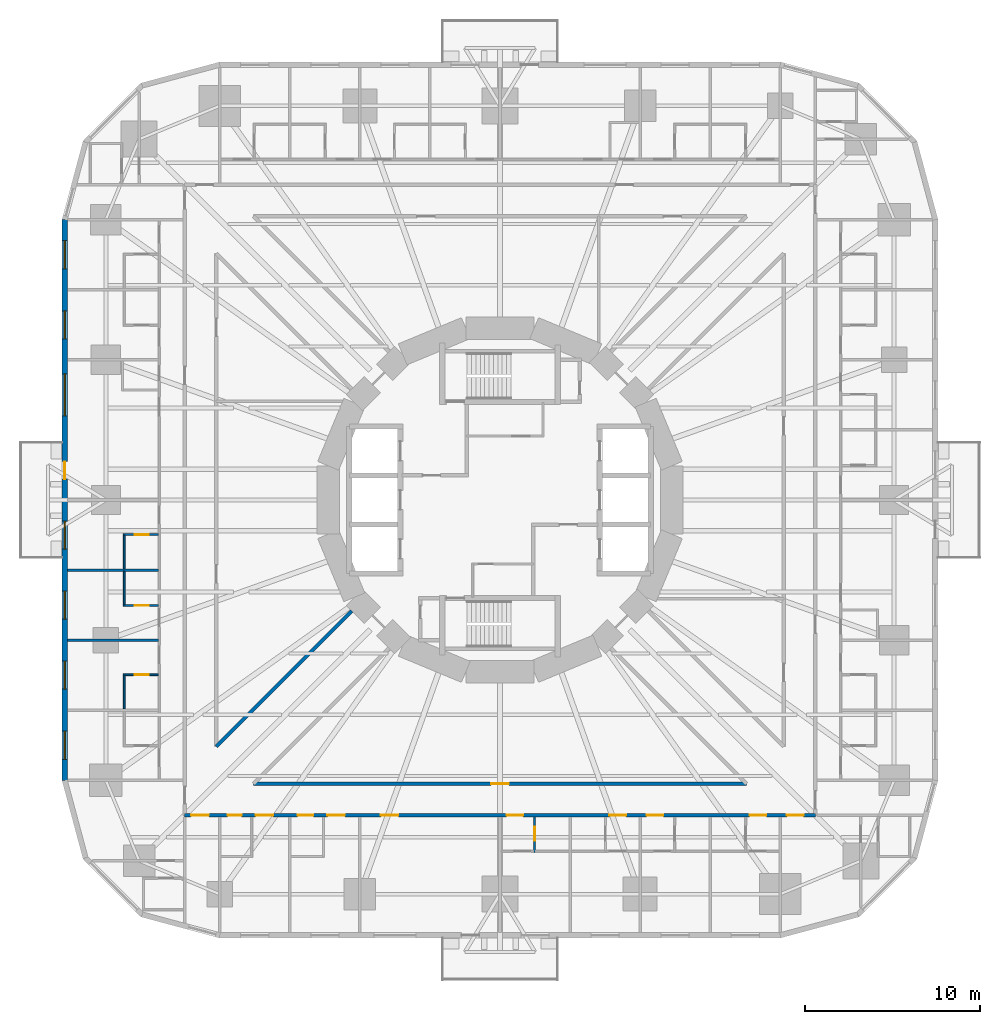
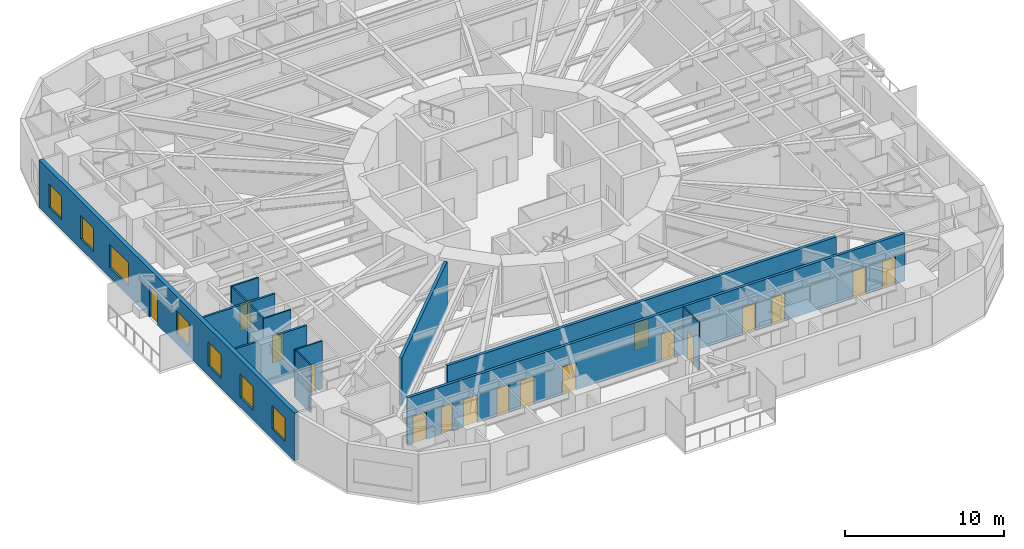
# One storey, part 5 of 14: 17 doors, 13 walls, 7 windows, 24 openings.
"""IFC4 building model written with IfcOpenShell, lengths in metres."""

from ifc_helpers import new_model, si_unit, direction, frame, frame_2d, origin, place, context, subcontext, project, spatial, rectangle, extrude, material, layer, layer_set, type_object, element, fill, save


model = new_model("IFC4")

# Units and contexts
model_context = context("Model", 3, precision=1e-05, world=origin(), true_north=direction((0.0, 1.0)))
body_context = subcontext(model_context, "Body", "Model", "MODEL_VIEW")
ifc_project = project(units=[si_unit("LENGTHUNIT", "METRE"), si_unit("AREAUNIT", "SQUARE_METRE"), si_unit("VOLUMEUNIT", "CUBIC_METRE"), si_unit("PLANEANGLEUNIT", "RADIAN"), si_unit("MASSUNIT", "GRAM", prefix="KILO")], contexts=[model_context])

# Site, building, storey
site_placement = place(None, origin())
site = spatial("IfcSite", under=ifc_project, at=site_placement, CompositionType="ELEMENT")
building_placement = place(site_placement, origin())
building = spatial("IfcBuilding", under=site, at=building_placement, Name="Nakasero Lantern House", CompositionType="ELEMENT")
storey_placement = place(building_placement, frame((0.0, 0.0, 31.39990234375)))
storey = spatial("IfcBuildingStorey", under=building, at=storey_placement, Name="L07", CompositionType="ELEMENT", Elevation=31.39990234375)

# Wall, openings, doors
ifc_material_1 = material(Name="Blockwork", Category="masonry")
ifc_layer_1 = layer(ifc_material_1, 0.199951171875)
ifc_layer_set_1 = layer_set([ifc_layer_1], Name="Corridor wall 200")
wall_type_1 = type_object("IfcWallType", Name="Corridor wall 200", PredefinedType="PARTITIONING", material=ifc_layer_set_1)
wall_1_placement = place(storey_placement, frame((-18.0, -18.0, 0.0), z_axis=(0.0, 0.0, 1.0), x_axis=(1.0, 0.0, 0.0)))
wall_1 = element("IfcWall", 1, at=wall_1_placement, inside=storey, type_object=wall_type_1, Name="Corridor wall L07 CW3", PredefinedType="PARTITIONING", context=body_context, shape_type="SweptSolid", body=[
    extrude(rectangle(XDim=36.0, YDim=0.199951171875, at=frame_2d((18.0, 0.0))), origin(), (0.0, 0.0, 1.0), 3.650146484375),
])
opening_1_placement = place(wall_1_placement, frame((0.375, 0.0, 0.0)))
opening_1 = element("IfcOpeningElement", 2, at=opening_1_placement, cuts=wall_1, Name="Opening D07", PredefinedType="OPENING", context=body_context, shape_type="SweptSolid", body=[
    extrude(rectangle(XDim=1.0, YDim=2.10009765625, at=frame_2d((0.5, 1.050048828125))), frame((0.0, 0.119873046875, 0.0), z_axis=(0.0, -1.0, 0.0), x_axis=(1.0, 0.0, 0.0)), (0.0, 0.0, 1.0), 0.239990234375),
])
opening_2_placement = place(wall_1_placement, frame((2.449951171875, 0.0, 0.0)))
opening_2 = element("IfcOpeningElement", 3, at=opening_2_placement, cuts=wall_1, Name="Opening D15", PredefinedType="OPENING", context=body_context, shape_type="SweptSolid", body=[
    extrude(rectangle(XDim=0.800048828125, YDim=2.10009765625, at=frame_2d((0.39990234375, 1.050048828125))), frame((0.0, 0.119873046875, 0.0), z_axis=(0.0, -1.0, 0.0), x_axis=(1.0, 0.0, 0.0)), (0.0, 0.0, 1.0), 0.239990234375),
])
opening_3_placement = place(wall_1_placement, frame((4.050048828125, 0.0, 0.0)))
opening_3 = element("IfcOpeningElement", 4, at=opening_3_placement, cuts=wall_1, Name="Opening D07", PredefinedType="OPENING", context=body_context, shape_type="SweptSolid", body=[
    extrude(rectangle(XDim=1.0, YDim=2.10009765625, at=frame_2d((0.5, 1.050048828125))), frame((0.0, 0.119873046875, 0.0), z_axis=(0.0, -1.0, 0.0), x_axis=(1.0, 0.0, 0.0)), (0.0, 0.0, 1.0), 0.239990234375),
])
opening_4_placement = place(wall_1_placement, frame((6.449951171875, 0.0, 0.0)))
opening_4 = element("IfcOpeningElement", 5, at=opening_4_placement, cuts=wall_1, Name="Opening D16", PredefinedType="OPENING", context=body_context, shape_type="SweptSolid", body=[
    extrude(rectangle(XDim=0.89990234375, YDim=2.10009765625, at=frame_2d((0.449951171875, 1.050048828125))), frame((0.0, 0.119873046875, 0.0), z_axis=(0.0, -1.0, 0.0), x_axis=(1.0, 0.0, 0.0)), (0.0, 0.0, 1.0), 0.239990234375),
])
opening_5_placement = place(wall_1_placement, frame((8.14990234375, 0.0, 0.0)))
opening_5 = element("IfcOpeningElement", 6, at=opening_5_placement, cuts=wall_1, Name="Opening D07", PredefinedType="OPENING", context=body_context, shape_type="SweptSolid", body=[
    extrude(rectangle(XDim=1.0, YDim=2.10009765625, at=frame_2d((0.5, 1.050048828125))), frame((0.0, 0.119873046875, 0.0), z_axis=(0.0, -1.0, 0.0), x_axis=(1.0, 0.0, 0.0)), (0.0, 0.0, 1.0), 0.239990234375),
])
opening_6_placement = place(wall_1_placement, frame((18.375, 0.0, 0.0)))
opening_6 = element("IfcOpeningElement", 7, at=opening_6_placement, cuts=wall_1, Name="Opening D01", PredefinedType="OPENING", context=body_context, shape_type="SweptSolid", body=[
    extrude(rectangle(XDim=0.949951171875, YDim=2.10009765625, at=frame_2d((0.47509765625, 1.050048828125))), frame((0.0, 0.119873046875, 0.0), z_axis=(0.0, -1.0, 0.0), x_axis=(1.0, 0.0, 0.0)), (0.0, 0.0, 1.0), 0.239990234375),
])
opening_7_placement = place(wall_1_placement, frame((24.25, 0.0, 0.0)))
opening_7 = element("IfcOpeningElement", 8, at=opening_7_placement, cuts=wall_1, Name="Opening D01", PredefinedType="OPENING", context=body_context, shape_type="SweptSolid", body=[
    extrude(rectangle(XDim=0.949951171875, YDim=2.10009765625, at=frame_2d((0.47509765625, 1.050048828125))), frame((0.0, 0.119873046875, 0.0), z_axis=(0.0, -1.0, 0.0), x_axis=(1.0, 0.0, 0.0)), (0.0, 0.0, 1.0), 0.239990234375),
])
opening_8_placement = place(wall_1_placement, frame((26.375, 0.0, 0.0)))
opening_8 = element("IfcOpeningElement", 9, at=opening_8_placement, cuts=wall_1, Name="Opening D01", PredefinedType="OPENING", context=body_context, shape_type="SweptSolid", body=[
    extrude(rectangle(XDim=0.949951171875, YDim=2.10009765625, at=frame_2d((0.47509765625, 1.050048828125))), frame((0.0, 0.119873046875, 0.0), z_axis=(0.0, -1.0, 0.0), x_axis=(1.0, 0.0, 0.0)), (0.0, 0.0, 1.0), 0.239990234375),
])
opening_9_placement = place(wall_1_placement, frame((32.25, 0.0, 0.0)))
opening_9 = element("IfcOpeningElement", 10, at=opening_9_placement, cuts=wall_1, Name="Opening D01", PredefinedType="OPENING", context=body_context, shape_type="SweptSolid", body=[
    extrude(rectangle(XDim=0.949951171875, YDim=2.10009765625, at=frame_2d((0.47509765625, 1.050048828125))), frame((0.0, 0.119873046875, 0.0), z_axis=(0.0, -1.0, 0.0), x_axis=(1.0, 0.0, 0.0)), (0.0, 0.0, 1.0), 0.239990234375),
])
opening_10_placement = place(wall_1_placement, frame((34.375, 0.0, 0.0)))
opening_10 = element("IfcOpeningElement", 11, at=opening_10_placement, cuts=wall_1, Name="Opening D01", PredefinedType="OPENING", context=body_context, shape_type="SweptSolid", body=[
    extrude(rectangle(XDim=0.949951171875, YDim=2.10009765625, at=frame_2d((0.47509765625, 1.050048828125))), frame((0.0, 0.119873046875, 0.0), z_axis=(0.0, -1.0, 0.0), x_axis=(1.0, 0.0, 0.0)), (0.0, 0.0, 1.0), 0.239990234375),
])
opening_11_placement = place(wall_1_placement, frame((11.199951171875, 0.0, 0.0)))
opening_11 = element("IfcOpeningElement", 12, at=opening_11_placement, cuts=wall_1, Name="Opening D03", PredefinedType="OPENING", context=body_context, shape_type="SweptSolid", body=[
    extrude(rectangle(XDim=1.0, YDim=2.10009765625, at=frame_2d((0.5, 1.050048828125))), frame((0.0, 0.119873046875, 0.0), z_axis=(0.0, -1.0, 0.0), x_axis=(1.0, 0.0, 0.0)), (0.0, 0.0, 1.0), 0.239990234375),
])
ifc_material_2 = material(Name="Timber C24", Category="wood")
door_type_1 = type_object("IfcDoorType", Name="Accessible WC door 900", OperationType="SINGLE_SWING_RIGHT", PredefinedType="DOOR", material=ifc_material_2)
door_1_placement = place(opening_4_placement, origin())
door_1 = element("IfcDoor", 13, at=door_1_placement, inside=storey, type_object=door_type_1, Name="Door L07 DS3-02", OperationType="SINGLE_SWING_LEFT", OverallHeight=2.10009765625, OverallWidth=0.89990234375, PredefinedType="DOOR", context=body_context, shape_type="SweptSolid", body=[
    extrude(rectangle(XDim=0.89990234375, YDim=2.10009765625, at=frame_2d((0.449951171875, 1.050048828125))), frame((0.0, 0.02490234375, 0.0), z_axis=(0.0, -1.0, 0.0), x_axis=(1.0, 0.0, 0.0)), (0.0, 0.0, 1.0), 0.050048828125),
])
fill(opening_4, door_1)
ifc_material_3 = material(Name="Timber C24", Category="wood")
door_type_2 = type_object("IfcDoorType", Name="Bedroom door FD30S 950", OperationType="SINGLE_SWING_LEFT", PredefinedType="DOOR", material=ifc_material_3)
door_2_placement = place(opening_6_placement, origin())
door_2 = element("IfcDoor", 14, at=door_2_placement, inside=storey, type_object=door_type_2, Name="Door L07 D3-05", OperationType="SINGLE_SWING_RIGHT", OverallHeight=2.10009765625, OverallWidth=0.949951171875, PredefinedType="DOOR", context=body_context, shape_type="SweptSolid", body=[
    extrude(rectangle(XDim=0.949951171875, YDim=2.10009765625, at=frame_2d((0.47509765625, 1.050048828125))), frame((0.0, 0.02490234375, 0.0), z_axis=(0.0, -1.0, 0.0), x_axis=(1.0, 0.0, 0.0)), (0.0, 0.0, 1.0), 0.050048828125),
])
fill(opening_6, door_2)
door_3_placement = place(opening_7_placement, origin())
door_3 = element("IfcDoor", 15, at=door_3_placement, inside=storey, type_object=door_type_2, Name="Door L07 D3-06", OperationType="SINGLE_SWING_RIGHT", OverallHeight=2.10009765625, OverallWidth=0.949951171875, PredefinedType="DOOR", context=body_context, shape_type="SweptSolid", body=[
    extrude(rectangle(XDim=0.949951171875, YDim=2.10009765625, at=frame_2d((0.47509765625, 1.050048828125))), frame((0.0, 0.02490234375, 0.0), z_axis=(0.0, -1.0, 0.0), x_axis=(1.0, 0.0, 0.0)), (0.0, 0.0, 1.0), 0.050048828125),
])
fill(opening_7, door_3)
door_4_placement = place(opening_8_placement, origin())
door_4 = element("IfcDoor", 16, at=door_4_placement, inside=storey, type_object=door_type_2, Name="Door L07 D3-07", OperationType="SINGLE_SWING_RIGHT", OverallHeight=2.10009765625, OverallWidth=0.949951171875, PredefinedType="DOOR", context=body_context, shape_type="SweptSolid", body=[
    extrude(rectangle(XDim=0.949951171875, YDim=2.10009765625, at=frame_2d((0.47509765625, 1.050048828125))), frame((0.0, 0.02490234375, 0.0), z_axis=(0.0, -1.0, 0.0), x_axis=(1.0, 0.0, 0.0)), (0.0, 0.0, 1.0), 0.050048828125),
])
fill(opening_8, door_4)
door_5_placement = place(opening_9_placement, origin())
door_5 = element("IfcDoor", 17, at=door_5_placement, inside=storey, type_object=door_type_2, Name="Door L07 D3-08", OperationType="SINGLE_SWING_RIGHT", OverallHeight=2.10009765625, OverallWidth=0.949951171875, PredefinedType="DOOR", context=body_context, shape_type="SweptSolid", body=[
    extrude(rectangle(XDim=0.949951171875, YDim=2.10009765625, at=frame_2d((0.47509765625, 1.050048828125))), frame((0.0, 0.02490234375, 0.0), z_axis=(0.0, -1.0, 0.0), x_axis=(1.0, 0.0, 0.0)), (0.0, 0.0, 1.0), 0.050048828125),
])
fill(opening_9, door_5)
door_6_placement = place(opening_10_placement, origin())
door_6 = element("IfcDoor", 18, at=door_6_placement, inside=storey, type_object=door_type_2, Name="Door L07 D3-09", OperationType="SINGLE_SWING_RIGHT", OverallHeight=2.10009765625, OverallWidth=0.949951171875, PredefinedType="DOOR", context=body_context, shape_type="SweptSolid", body=[
    extrude(rectangle(XDim=0.949951171875, YDim=2.10009765625, at=frame_2d((0.47509765625, 1.050048828125))), frame((0.0, 0.02490234375, 0.0), z_axis=(0.0, -1.0, 0.0), x_axis=(1.0, 0.0, 0.0)), (0.0, 0.0, 1.0), 0.050048828125),
])
fill(opening_10, door_6)
ifc_material_4 = material(Name="Timber C24", Category="wood")
door_type_3 = type_object("IfcDoorType", Name="Cleaner's store door FD30S 800", OperationType="SINGLE_SWING_LEFT", PredefinedType="DOOR", material=ifc_material_4)
door_7_placement = place(opening_2_placement, origin())
door_7 = element("IfcDoor", 19, at=door_7_placement, inside=storey, type_object=door_type_3, Name="Door L07 DS3-01", OperationType="SINGLE_SWING_LEFT", OverallHeight=2.10009765625, OverallWidth=0.800048828125, PredefinedType="DOOR", context=body_context, shape_type="SweptSolid", body=[
    extrude(rectangle(XDim=0.800048828125, YDim=2.10009765625, at=frame_2d((0.39990234375, 1.050048828125))), frame((0.0, 0.02490234375, 0.0), z_axis=(0.0, -1.0, 0.0), x_axis=(1.0, 0.0, 0.0)), (0.0, 0.0, 1.0), 0.050048828125),
])
fill(opening_2, door_7)
ifc_material_5 = material(Name="Timber C24", Category="wood")
door_type_4 = type_object("IfcDoorType", Name="Lounge door FD30S 1000", OperationType="SINGLE_SWING_LEFT", PredefinedType="DOOR", material=ifc_material_5)
door_8_placement = place(opening_11_placement, origin())
door_8 = element("IfcDoor", 20, at=door_8_placement, inside=storey, type_object=door_type_4, Name="Door L07 DK3", OperationType="SINGLE_SWING_LEFT", OverallHeight=2.10009765625, OverallWidth=1.0, PredefinedType="DOOR", context=body_context, shape_type="SweptSolid", body=[
    extrude(rectangle(XDim=1.0, YDim=2.10009765625, at=frame_2d((0.5, 1.050048828125))), frame((0.0, 0.02490234375, 0.0), z_axis=(0.0, -1.0, 0.0), x_axis=(1.0, 0.0, 0.0)), (0.0, 0.0, 1.0), 0.050048828125),
])
fill(opening_11, door_8)
ifc_material_6 = material(Name="Timber C24", Category="wood")
door_type_5 = type_object("IfcDoorType", Name="Room door FD30S 1000", OperationType="SINGLE_SWING_LEFT", PredefinedType="DOOR", material=ifc_material_6)
door_9_placement = place(opening_1_placement, origin())
door_9 = element("IfcDoor", 21, at=door_9_placement, inside=storey, type_object=door_type_5, Name="Door L07 D3-00", OperationType="SINGLE_SWING_LEFT", OverallHeight=2.10009765625, OverallWidth=1.0, PredefinedType="DOOR", context=body_context, shape_type="SweptSolid", body=[
    extrude(rectangle(XDim=1.0, YDim=2.10009765625, at=frame_2d((0.5, 1.050048828125))), frame((0.0, 0.02490234375, 0.0), z_axis=(0.0, -1.0, 0.0), x_axis=(1.0, 0.0, 0.0)), (0.0, 0.0, 1.0), 0.050048828125),
])
fill(opening_1, door_9)
door_10_placement = place(opening_3_placement, origin())
door_10 = element("IfcDoor", 22, at=door_10_placement, inside=storey, type_object=door_type_5, Name="Door L07 D3-01", OperationType="SINGLE_SWING_LEFT", OverallHeight=2.10009765625, OverallWidth=1.0, PredefinedType="DOOR", context=body_context, shape_type="SweptSolid", body=[
    extrude(rectangle(XDim=1.0, YDim=2.10009765625, at=frame_2d((0.5, 1.050048828125))), frame((0.0, 0.02490234375, 0.0), z_axis=(0.0, -1.0, 0.0), x_axis=(1.0, 0.0, 0.0)), (0.0, 0.0, 1.0), 0.050048828125),
])
fill(opening_3, door_10)
door_11_placement = place(opening_5_placement, origin())
door_11 = element("IfcDoor", 23, at=door_11_placement, inside=storey, type_object=door_type_5, Name="Door L07 D3-02", OperationType="SINGLE_SWING_LEFT", OverallHeight=2.10009765625, OverallWidth=1.0, PredefinedType="DOOR", context=body_context, shape_type="SweptSolid", body=[
    extrude(rectangle(XDim=1.0, YDim=2.10009765625, at=frame_2d((0.5, 1.050048828125))), frame((0.0, 0.02490234375, 0.0), z_axis=(0.0, -1.0, 0.0), x_axis=(1.0, 0.0, 0.0)), (0.0, 0.0, 1.0), 0.050048828125),
])
fill(opening_5, door_11)

# Wall, opening, door
wall_2_placement = place(storey_placement, frame((-14.07861328125, -16.199951171875, 0.0), z_axis=(0.0, 0.0, 1.0), x_axis=(1.0, 0.0, 0.0)))
wall_2 = element("IfcWall", 24, at=wall_2_placement, inside=storey, type_object=wall_type_1, Name="Corridor wall L07 IW3-0", PredefinedType="PARTITIONING", context=body_context, shape_type="SweptSolid", body=[
    extrude(rectangle(XDim=28.1572265625, YDim=0.199951171875, at=frame_2d((14.07861328125, 0.0))), origin(), (0.0, 0.0, 1.0), 3.650146484375),
])
opening_12_placement = place(wall_2_placement, frame((13.57861328125, 0.0, 0.0)))
opening_12 = element("IfcOpeningElement", 25, at=opening_12_placement, cuts=wall_2, Name="Opening D07", PredefinedType="OPENING", context=body_context, shape_type="SweptSolid", body=[
    extrude(rectangle(XDim=1.0, YDim=2.10009765625, at=frame_2d((0.5, 1.050048828125))), frame((0.0, 0.119873046875, 0.0), z_axis=(0.0, -1.0, 0.0), x_axis=(1.0, 0.0, 0.0)), (0.0, 0.0, 1.0), 0.239990234375),
])
door_12_placement = place(opening_12_placement, origin())
door_12 = element("IfcDoor", 26, at=door_12_placement, inside=storey, type_object=door_type_5, Name="Door L07 DI3", OperationType="SINGLE_SWING_LEFT", OverallHeight=2.10009765625, OverallWidth=1.0, PredefinedType="DOOR", context=body_context, shape_type="SweptSolid", body=[
    extrude(rectangle(XDim=1.0, YDim=2.10009765625, at=frame_2d((0.5, 1.050048828125))), frame((0.0, 0.02490234375, 0.0), z_axis=(0.0, -1.0, 0.0), x_axis=(1.0, 0.0, 0.0)), (0.0, 0.0, 1.0), 0.050048828125),
])
fill(opening_12, door_12)

# Wall
wall_3_placement = place(storey_placement, frame((-8.45556640625, -6.334228515625, 0.0), z_axis=(0.0, 0.0, 1.0), x_axis=(-0.707106781187, -0.707106781187, 0.0)))
element("IfcWall", 27, at=wall_3_placement, inside=storey, type_object=wall_type_1, Name="Corridor wall L07 PS10b", PredefinedType="PARTITIONING", context=body_context, shape_type="SweptSolid", body=[
    extrude(rectangle(XDim=10.9521484375, YDim=0.199951171875, at=frame_2d((5.47607421875, 0.0))), origin(), (0.0, 0.0, 1.0), 3.650146484375),
])

# Wall, opening, door
ifc_material_7 = material(Name="Blockwork", Category="masonry")
ifc_layer_2 = layer(ifc_material_7, 0.10009765625)
ifc_layer_set_2 = layer_set([ifc_layer_2], Name="En-suite wall 100")
wall_type_2 = type_object("IfcWallType", Name="En-suite wall 100", PredefinedType="PARTITIONING", material=ifc_layer_set_2)
wall_4_placement = place(storey_placement, frame((-19.5, -1.97509765625, 0.0), z_axis=(0.0, 0.0, 1.0), x_axis=(-1.0, 0.0, 0.0)))
wall_4 = element("IfcWall", 28, at=wall_4_placement, inside=storey, type_object=wall_type_2, Name="En-suite wall L07 ES2-05", PredefinedType="PARTITIONING", context=body_context, shape_type="SweptSolid", body=[
    extrude(rectangle(XDim=2.0, YDim=0.10009765625, at=frame_2d((1.0, 0.0))), origin(), (0.0, 0.0, 1.0), 3.650146484375),
])
opening_13_placement = place(wall_4_placement, frame((0.550048828125, 0.0, 0.0)))
opening_13 = element("IfcOpeningElement", 29, at=opening_13_placement, cuts=wall_4, Name="Opening D02", PredefinedType="OPENING", context=body_context, shape_type="SweptSolid", body=[
    extrude(rectangle(XDim=0.800048828125, YDim=2.10009765625, at=frame_2d((0.39990234375, 1.050048828125))), frame((0.0, 0.070068359375, 0.0), z_axis=(0.0, -1.0, 0.0), x_axis=(1.0, 0.0, 0.0)), (0.0, 0.0, 1.0), 0.14013671875),
])
ifc_material_8 = material(Name="Timber C24", Category="wood")
door_type_6 = type_object("IfcDoorType", Name="En-suite door 800", OperationType="SINGLE_SWING_RIGHT", PredefinedType="DOOR", material=ifc_material_8)
door_13_placement = place(opening_13_placement, origin())
door_13 = element("IfcDoor", 30, at=door_13_placement, inside=storey, type_object=door_type_6, Name="Door L07 DE2-05", OperationType="SINGLE_SWING_LEFT", OverallHeight=2.10009765625, OverallWidth=0.800048828125, PredefinedType="DOOR", context=body_context, shape_type="SweptSolid", body=[
    extrude(rectangle(XDim=0.800048828125, YDim=2.10009765625, at=frame_2d((0.39990234375, 1.050048828125))), frame((0.0, 0.02490234375, 0.0), z_axis=(0.0, -1.0, 0.0), x_axis=(1.0, 0.0, 0.0)), (0.0, 0.0, 1.0), 0.050048828125),
])
fill(opening_13, door_13)

# Wall
wall_5_placement = place(storey_placement, frame((-21.449951171875, -2.02490234375, 0.0), z_axis=(0.0, 0.0, 1.0), x_axis=(0.0, -1.0, 0.0)))
element("IfcWall", 31, at=wall_5_placement, inside=storey, type_object=wall_type_2, Name="En-suite wall L07 EE2-05", PredefinedType="PARTITIONING", context=body_context, shape_type="SweptSolid", body=[
    extrude(rectangle(XDim=1.900146484375, YDim=0.10009765625, at=frame_2d((0.9501953125, 0.0))), origin(), (0.0, 0.0, 1.0), 3.650146484375),
])

# Wall, opening, door
wall_6_placement = place(storey_placement, frame((-19.5, -6.02490234375, 0.0), z_axis=(0.0, 0.0, 1.0), x_axis=(-1.0, 0.0, 0.0)))
wall_6 = element("IfcWall", 32, at=wall_6_placement, inside=storey, type_object=wall_type_2, Name="En-suite wall L07 ES2-06", PredefinedType="PARTITIONING", context=body_context, shape_type="SweptSolid", body=[
    extrude(rectangle(XDim=2.0, YDim=0.10009765625, at=frame_2d((1.0, 0.0))), origin(), (0.0, 0.0, 1.0), 3.650146484375),
])
opening_14_placement = place(wall_6_placement, frame((0.550048828125, 0.0, 0.0)))
opening_14 = element("IfcOpeningElement", 33, at=opening_14_placement, cuts=wall_6, Name="Opening D02", PredefinedType="OPENING", context=body_context, shape_type="SweptSolid", body=[
    extrude(rectangle(XDim=0.800048828125, YDim=2.10009765625, at=frame_2d((0.39990234375, 1.050048828125))), frame((0.0, 0.070068359375, 0.0), z_axis=(0.0, -1.0, 0.0), x_axis=(1.0, 0.0, 0.0)), (0.0, 0.0, 1.0), 0.14013671875),
])
door_14_placement = place(opening_14_placement, origin())
door_14 = element("IfcDoor", 34, at=door_14_placement, inside=storey, type_object=door_type_6, Name="Door L07 DE2-06", OperationType="SINGLE_SWING_LEFT", OverallHeight=2.10009765625, OverallWidth=0.800048828125, PredefinedType="DOOR", context=body_context, shape_type="SweptSolid", body=[
    extrude(rectangle(XDim=0.800048828125, YDim=2.10009765625, at=frame_2d((0.39990234375, 1.050048828125))), frame((0.0, 0.02490234375, 0.0), z_axis=(0.0, -1.0, 0.0), x_axis=(1.0, 0.0, 0.0)), (0.0, 0.0, 1.0), 0.050048828125),
])
fill(opening_14, door_14)

# Wall
wall_7_placement = place(storey_placement, frame((-21.449951171875, -4.074951171875, 0.0), z_axis=(0.0, 0.0, 1.0), x_axis=(0.0, -1.0, 0.0)))
element("IfcWall", 35, at=wall_7_placement, inside=storey, type_object=wall_type_2, Name="En-suite wall L07 EE2-06", PredefinedType="PARTITIONING", context=body_context, shape_type="SweptSolid", body=[
    extrude(rectangle(XDim=1.900146484375, YDim=0.10009765625, at=frame_2d((0.9501953125, 0.0))), origin(), (0.0, 0.0, 1.0), 3.650146484375),
])

# Wall, opening, door
wall_8_placement = place(storey_placement, frame((-19.5, -9.97509765625, 0.0), z_axis=(0.0, 0.0, 1.0), x_axis=(-1.0, 0.0, 0.0)))
wall_8 = element("IfcWall", 36, at=wall_8_placement, inside=storey, type_object=wall_type_2, Name="En-suite wall L07 ES2-07", PredefinedType="PARTITIONING", context=body_context, shape_type="SweptSolid", body=[
    extrude(rectangle(XDim=2.0, YDim=0.10009765625, at=frame_2d((1.0, 0.0))), origin(), (0.0, 0.0, 1.0), 3.650146484375),
])
opening_15_placement = place(wall_8_placement, frame((0.550048828125, 0.0, 0.0)))
opening_15 = element("IfcOpeningElement", 37, at=opening_15_placement, cuts=wall_8, Name="Opening D02", PredefinedType="OPENING", context=body_context, shape_type="SweptSolid", body=[
    extrude(rectangle(XDim=0.800048828125, YDim=2.10009765625, at=frame_2d((0.39990234375, 1.050048828125))), frame((0.0, 0.070068359375, 0.0), z_axis=(0.0, -1.0, 0.0), x_axis=(1.0, 0.0, 0.0)), (0.0, 0.0, 1.0), 0.14013671875),
])
door_15_placement = place(opening_15_placement, origin())
door_15 = element("IfcDoor", 38, at=door_15_placement, inside=storey, type_object=door_type_6, Name="Door L07 DE2-07", OperationType="SINGLE_SWING_LEFT", OverallHeight=2.10009765625, OverallWidth=0.800048828125, PredefinedType="DOOR", context=body_context, shape_type="SweptSolid", body=[
    extrude(rectangle(XDim=0.800048828125, YDim=2.10009765625, at=frame_2d((0.39990234375, 1.050048828125))), frame((0.0, 0.02490234375, 0.0), z_axis=(0.0, -1.0, 0.0), x_axis=(1.0, 0.0, 0.0)), (0.0, 0.0, 1.0), 0.050048828125),
])
fill(opening_15, door_15)

# Wall
wall_9_placement = place(storey_placement, frame((-21.449951171875, -10.02490234375, 0.0), z_axis=(0.0, 0.0, 1.0), x_axis=(0.0, -1.0, 0.0)))
element("IfcWall", 39, at=wall_9_placement, inside=storey, type_object=wall_type_2, Name="En-suite wall L07 EE2-07", PredefinedType="PARTITIONING", context=body_context, shape_type="SweptSolid", body=[
    extrude(rectangle(XDim=1.900146484375, YDim=0.10009765625, at=frame_2d((0.9501953125, 0.0))), origin(), (0.0, 0.0, 1.0), 3.650146484375),
])

# Wall, opening, door
wall_10_placement = place(storey_placement, frame((1.97509765625, -18.10009765625, 0.0), z_axis=(0.0, 0.0, 1.0), x_axis=(0.0, -1.0, 0.0)))
wall_10 = element("IfcWall", 40, at=wall_10_placement, inside=storey, type_object=wall_type_2, Name="En-suite wall L07 ES3-05", PredefinedType="PARTITIONING", context=body_context, shape_type="SweptSolid", body=[
    extrude(rectangle(XDim=2.0, YDim=0.10009765625, at=frame_2d((1.0, 0.0))), origin(), (0.0, 0.0, 1.0), 3.650146484375),
])
opening_16_placement = place(wall_10_placement, frame((0.550048828125, 0.0, 0.0)))
opening_16 = element("IfcOpeningElement", 41, at=opening_16_placement, cuts=wall_10, Name="Opening D02", PredefinedType="OPENING", context=body_context, shape_type="SweptSolid", body=[
    extrude(rectangle(XDim=0.800048828125, YDim=2.10009765625, at=frame_2d((0.39990234375, 1.050048828125))), frame((0.0, 0.070068359375, 0.0), z_axis=(0.0, -1.0, 0.0), x_axis=(1.0, 0.0, 0.0)), (0.0, 0.0, 1.0), 0.14013671875),
])
door_16_placement = place(opening_16_placement, origin())
door_16 = element("IfcDoor", 42, at=door_16_placement, inside=storey, type_object=door_type_6, Name="Door L07 DE3-05", OperationType="SINGLE_SWING_LEFT", OverallHeight=2.10009765625, OverallWidth=0.800048828125, PredefinedType="DOOR", context=body_context, shape_type="SweptSolid", body=[
    extrude(rectangle(XDim=0.800048828125, YDim=2.10009765625, at=frame_2d((0.39990234375, 1.050048828125))), frame((0.0, 0.02490234375, 0.0), z_axis=(0.0, -1.0, 0.0), x_axis=(1.0, 0.0, 0.0)), (0.0, 0.0, 1.0), 0.050048828125),
])
fill(opening_16, door_16)

# Wall, openings, door, windows
ifc_material_9 = material(Name="Aluminium rainscreen on blockwork", Category="masonry")
ifc_layer_3 = layer(ifc_material_9, 0.300048828125)
ifc_layer_set_3 = layer_set([ifc_layer_3], Name="Facade wall 300")
wall_type_3 = type_object("IfcWallType", Name="Facade wall 300", PredefinedType="SOLIDWALL", material=ifc_layer_set_3)
wall_11_placement = place(storey_placement, frame((-24.85009765625, 16.0, 0.0), z_axis=(0.0, 0.0, 1.0), x_axis=(0.0, -1.0, 0.0)))
wall_11 = element("IfcWall", 43, at=wall_11_placement, inside=storey, type_object=wall_type_3, Name="Facade wall L07 FW2S", PredefinedType="SOLIDWALL", context=body_context, shape_type="SweptSolid", body=[
    extrude(rectangle(XDim=32.0, YDim=0.300048828125, at=frame_2d((16.0, 0.0))), origin(), (0.0, 0.0, 1.0), 3.650146484375),
])
opening_17_placement = place(wall_11_placement, frame((1.199951171875, 0.0, 0.75)))
opening_17 = element("IfcOpeningElement", 44, at=opening_17_placement, cuts=wall_11, Name="Opening W01", PredefinedType="OPENING", context=body_context, shape_type="SweptSolid", body=[
    extrude(rectangle(XDim=1.60009765625, YDim=1.800048828125, at=frame_2d((0.800048828125, 0.89990234375))), frame((0.0, 0.169921875, 0.0), z_axis=(0.0, -1.0, 0.0), x_axis=(1.0, 0.0, 0.0)), (0.0, 0.0, 1.0), 0.340087890625),
])
opening_18_placement = place(wall_11_placement, frame((5.199951171875, 0.0, 0.75)))
opening_18 = element("IfcOpeningElement", 45, at=opening_18_placement, cuts=wall_11, Name="Opening W01", PredefinedType="OPENING", context=body_context, shape_type="SweptSolid", body=[
    extrude(rectangle(XDim=1.60009765625, YDim=1.800048828125, at=frame_2d((0.800048828125, 0.89990234375))), frame((0.0, 0.169921875, 0.0), z_axis=(0.0, -1.0, 0.0), x_axis=(1.0, 0.0, 0.0)), (0.0, 0.0, 1.0), 0.340087890625),
])
opening_19_placement = place(wall_11_placement, frame((17.199951171875, 0.0, 0.75)))
opening_19 = element("IfcOpeningElement", 46, at=opening_19_placement, cuts=wall_11, Name="Opening W01", PredefinedType="OPENING", context=body_context, shape_type="SweptSolid", body=[
    extrude(rectangle(XDim=1.60009765625, YDim=1.800048828125, at=frame_2d((0.800048828125, 0.89990234375))), frame((0.0, 0.169921875, 0.0), z_axis=(0.0, -1.0, 0.0), x_axis=(1.0, 0.0, 0.0)), (0.0, 0.0, 1.0), 0.340087890625),
])
opening_20_placement = place(wall_11_placement, frame((21.199951171875, 0.0, 0.75)))
opening_20 = element("IfcOpeningElement", 47, at=opening_20_placement, cuts=wall_11, Name="Opening W01", PredefinedType="OPENING", context=body_context, shape_type="SweptSolid", body=[
    extrude(rectangle(XDim=1.60009765625, YDim=1.800048828125, at=frame_2d((0.800048828125, 0.89990234375))), frame((0.0, 0.169921875, 0.0), z_axis=(0.0, -1.0, 0.0), x_axis=(1.0, 0.0, 0.0)), (0.0, 0.0, 1.0), 0.340087890625),
])
opening_21_placement = place(wall_11_placement, frame((25.199951171875, 0.0, 0.75)))
opening_21 = element("IfcOpeningElement", 48, at=opening_21_placement, cuts=wall_11, Name="Opening W01", PredefinedType="OPENING", context=body_context, shape_type="SweptSolid", body=[
    extrude(rectangle(XDim=1.60009765625, YDim=1.800048828125, at=frame_2d((0.800048828125, 0.89990234375))), frame((0.0, 0.169921875, 0.0), z_axis=(0.0, -1.0, 0.0), x_axis=(1.0, 0.0, 0.0)), (0.0, 0.0, 1.0), 0.340087890625),
])
opening_22_placement = place(wall_11_placement, frame((29.199951171875, 0.0, 0.75)))
opening_22 = element("IfcOpeningElement", 49, at=opening_22_placement, cuts=wall_11, Name="Opening W01", PredefinedType="OPENING", context=body_context, shape_type="SweptSolid", body=[
    extrude(rectangle(XDim=1.60009765625, YDim=1.800048828125, at=frame_2d((0.800048828125, 0.89990234375))), frame((0.0, 0.169921875, 0.0), z_axis=(0.0, -1.0, 0.0), x_axis=(1.0, 0.0, 0.0)), (0.0, 0.0, 1.0), 0.340087890625),
])
opening_23_placement = place(wall_11_placement, frame((8.800048828125, 0.0, 0.75)))
opening_23 = element("IfcOpeningElement", 50, at=opening_23_placement, cuts=wall_11, Name="Opening W03", PredefinedType="OPENING", context=body_context, shape_type="SweptSolid", body=[
    extrude(rectangle(XDim=2.39990234375, YDim=1.800048828125, at=frame_2d((1.199951171875, 0.89990234375))), frame((0.0, 0.169921875, 0.0), z_axis=(0.0, -1.0, 0.0), x_axis=(1.0, 0.0, 0.0)), (0.0, 0.0, 1.0), 0.340087890625),
])
opening_24_placement = place(wall_11_placement, frame((13.8125, 0.0, 0.0)))
opening_24 = element("IfcOpeningElement", 51, at=opening_24_placement, cuts=wall_11, Name="Opening D04", PredefinedType="OPENING", context=body_context, shape_type="SweptSolid", body=[
    extrude(rectangle(XDim=1.0, YDim=2.39990234375, at=frame_2d((0.5, 1.199951171875))), frame((0.0, 0.169921875, 0.0), z_axis=(0.0, -1.0, 0.0), x_axis=(1.0, 0.0, 0.0)), (0.0, 0.0, 1.0), 0.340087890625),
])
ifc_material_10 = material(Name="Aluminium 6063-T6 and glass", Category="aluminium")
door_type_7 = type_object("IfcDoorType", Name="Balcony door 1000x2400", OperationType="SINGLE_SWING_RIGHT", PredefinedType="DOOR", material=ifc_material_10)
door_17_placement = place(opening_24_placement, origin())
door_17 = element("IfcDoor", 52, at=door_17_placement, inside=storey, type_object=door_type_7, Name="Balcony door L07 DB2", OperationType="SINGLE_SWING_RIGHT", OverallHeight=2.39990234375, OverallWidth=1.0, PredefinedType="DOOR", context=body_context, shape_type="SweptSolid", body=[
    extrude(rectangle(XDim=1.0, YDim=2.39990234375, at=frame_2d((0.5, 1.199951171875))), frame((0.0, 0.02490234375, 0.0), z_axis=(0.0, -1.0, 0.0), x_axis=(1.0, 0.0, 0.0)), (0.0, 0.0, 1.0), 0.050048828125),
])
fill(opening_24, door_17)
ifc_material_11 = material(Name="Aluminium 6063-T6 and glass", Category="aluminium")
window_type_1 = type_object("IfcWindowType", Name="Bedroom window 1600x1800", PartitioningType="SINGLE_PANEL", PredefinedType="WINDOW", material=ifc_material_11)
window_1_placement = place(opening_17_placement, origin())
window_1 = element("IfcWindow", 53, at=window_1_placement, inside=storey, type_object=window_type_1, Name="Window L07 WN2-01", OverallHeight=1.800048828125, OverallWidth=1.60009765625, PartitioningType="SINGLE_PANEL", PredefinedType="WINDOW", context=body_context, shape_type="SweptSolid", body=[
    extrude(rectangle(XDim=1.60009765625, YDim=1.800048828125, at=frame_2d((0.800048828125, 0.89990234375))), frame((0.0, 0.030029296875, 0.0), z_axis=(0.0, -1.0, 0.0), x_axis=(1.0, 0.0, 0.0)), (0.0, 0.0, 1.0), 0.06005859375),
])
fill(opening_17, window_1)
window_2_placement = place(opening_18_placement, origin())
window_2 = element("IfcWindow", 54, at=window_2_placement, inside=storey, type_object=window_type_1, Name="Window L07 WN2-02", OverallHeight=1.800048828125, OverallWidth=1.60009765625, PartitioningType="SINGLE_PANEL", PredefinedType="WINDOW", context=body_context, shape_type="SweptSolid", body=[
    extrude(rectangle(XDim=1.60009765625, YDim=1.800048828125, at=frame_2d((0.800048828125, 0.89990234375))), frame((0.0, 0.030029296875, 0.0), z_axis=(0.0, -1.0, 0.0), x_axis=(1.0, 0.0, 0.0)), (0.0, 0.0, 1.0), 0.06005859375),
])
fill(opening_18, window_2)
window_3_placement = place(opening_19_placement, origin())
window_3 = element("IfcWindow", 55, at=window_3_placement, inside=storey, type_object=window_type_1, Name="Window L07 WN2-05", OverallHeight=1.800048828125, OverallWidth=1.60009765625, PartitioningType="SINGLE_PANEL", PredefinedType="WINDOW", context=body_context, shape_type="SweptSolid", body=[
    extrude(rectangle(XDim=1.60009765625, YDim=1.800048828125, at=frame_2d((0.800048828125, 0.89990234375))), frame((0.0, 0.030029296875, 0.0), z_axis=(0.0, -1.0, 0.0), x_axis=(1.0, 0.0, 0.0)), (0.0, 0.0, 1.0), 0.06005859375),
])
fill(opening_19, window_3)
window_4_placement = place(opening_20_placement, origin())
window_4 = element("IfcWindow", 56, at=window_4_placement, inside=storey, type_object=window_type_1, Name="Window L07 WN2-06", OverallHeight=1.800048828125, OverallWidth=1.60009765625, PartitioningType="SINGLE_PANEL", PredefinedType="WINDOW", context=body_context, shape_type="SweptSolid", body=[
    extrude(rectangle(XDim=1.60009765625, YDim=1.800048828125, at=frame_2d((0.800048828125, 0.89990234375))), frame((0.0, 0.030029296875, 0.0), z_axis=(0.0, -1.0, 0.0), x_axis=(1.0, 0.0, 0.0)), (0.0, 0.0, 1.0), 0.06005859375),
])
fill(opening_20, window_4)
window_5_placement = place(opening_21_placement, origin())
window_5 = element("IfcWindow", 57, at=window_5_placement, inside=storey, type_object=window_type_1, Name="Window L07 WN2-07", OverallHeight=1.800048828125, OverallWidth=1.60009765625, PartitioningType="SINGLE_PANEL", PredefinedType="WINDOW", context=body_context, shape_type="SweptSolid", body=[
    extrude(rectangle(XDim=1.60009765625, YDim=1.800048828125, at=frame_2d((0.800048828125, 0.89990234375))), frame((0.0, 0.030029296875, 0.0), z_axis=(0.0, -1.0, 0.0), x_axis=(1.0, 0.0, 0.0)), (0.0, 0.0, 1.0), 0.06005859375),
])
fill(opening_21, window_5)
window_6_placement = place(opening_22_placement, origin())
window_6 = element("IfcWindow", 58, at=window_6_placement, inside=storey, type_object=window_type_1, Name="Window L07 WN2-08", OverallHeight=1.800048828125, OverallWidth=1.60009765625, PartitioningType="SINGLE_PANEL", PredefinedType="WINDOW", context=body_context, shape_type="SweptSolid", body=[
    extrude(rectangle(XDim=1.60009765625, YDim=1.800048828125, at=frame_2d((0.800048828125, 0.89990234375))), frame((0.0, 0.030029296875, 0.0), z_axis=(0.0, -1.0, 0.0), x_axis=(1.0, 0.0, 0.0)), (0.0, 0.0, 1.0), 0.06005859375),
])
fill(opening_22, window_6)
ifc_material_12 = material(Name="Aluminium 6063-T6 and glass", Category="aluminium")
window_type_2 = type_object("IfcWindowType", Name="Lounge window 2400x1800", PartitioningType="SINGLE_PANEL", PredefinedType="WINDOW", material=ifc_material_12)
window_7_placement = place(opening_23_placement, origin())
window_7 = element("IfcWindow", 59, at=window_7_placement, inside=storey, type_object=window_type_2, Name="Window L07 WK2", OverallHeight=1.800048828125, OverallWidth=2.39990234375, PartitioningType="SINGLE_PANEL", PredefinedType="WINDOW", context=body_context, shape_type="SweptSolid", body=[
    extrude(rectangle(XDim=2.39990234375, YDim=1.800048828125, at=frame_2d((1.199951171875, 0.89990234375))), frame((0.0, 0.030029296875, 0.0), z_axis=(0.0, -1.0, 0.0), x_axis=(1.0, 0.0, 0.0)), (0.0, 0.0, 1.0), 0.06005859375),
])
fill(opening_23, window_7)

# Walls
ifc_material_13 = material(Name="Blockwork", Category="masonry")
ifc_layer_4 = layer(ifc_material_13, 0.14990234375)
ifc_layer_set_4 = layer_set([ifc_layer_4], Name="Party wall 150")
wall_type_4 = type_object("IfcWallType", Name="Party wall 150", PredefinedType="PARTITIONING", material=ifc_layer_set_4)
for number, where, z_axis, x_axis, name in (
    (60, (-19.5, -4.0, 0.0), (0.0, 0.0, 1.0), (-1.0, 0.0, 0.0), "Party wall L07 PW2-06"),
    (61, (-19.5, -8.0, 0.0), (0.0, 0.0, 1.0), (-1.0, 0.0, 0.0), "Party wall L07 PW2-07"),
):
    element("IfcWall", number, at=place(storey_placement, frame(where, z_axis=z_axis, x_axis=x_axis)), inside=storey, type_object=wall_type_4, Name=name, PredefinedType="PARTITIONING", context=body_context, shape_type="SweptSolid", body=[
        extrude(rectangle(XDim=5.199951171875, YDim=0.14990234375, at=frame_2d((2.60009765625, 0.0))), origin(), (0.0, 0.0, 1.0), 3.650146484375),
    ])

save(model, "model.ifc")
